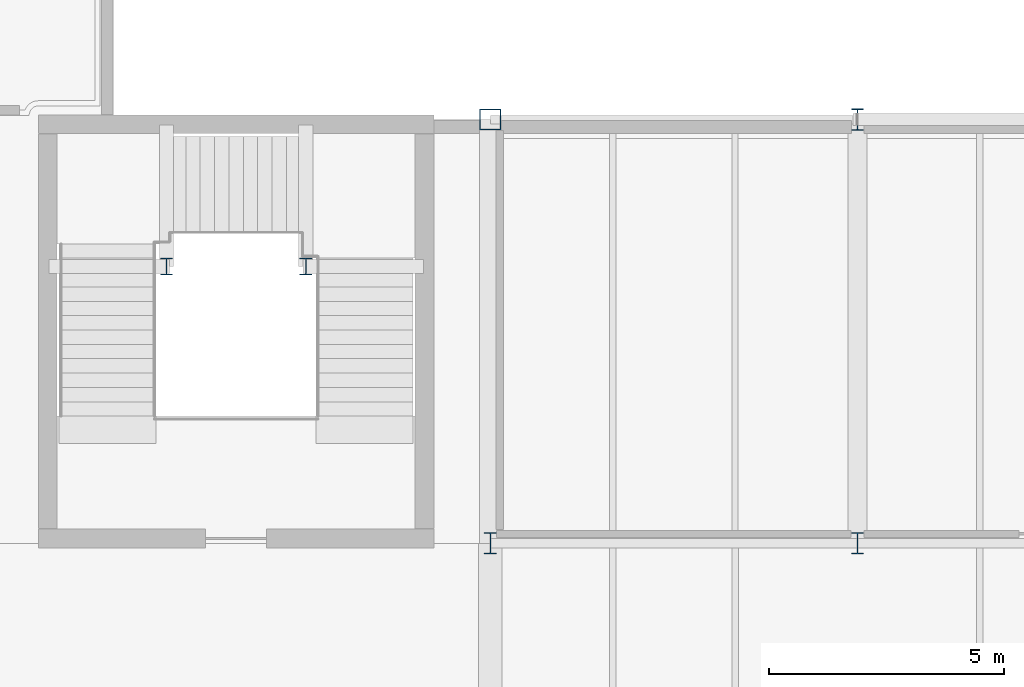
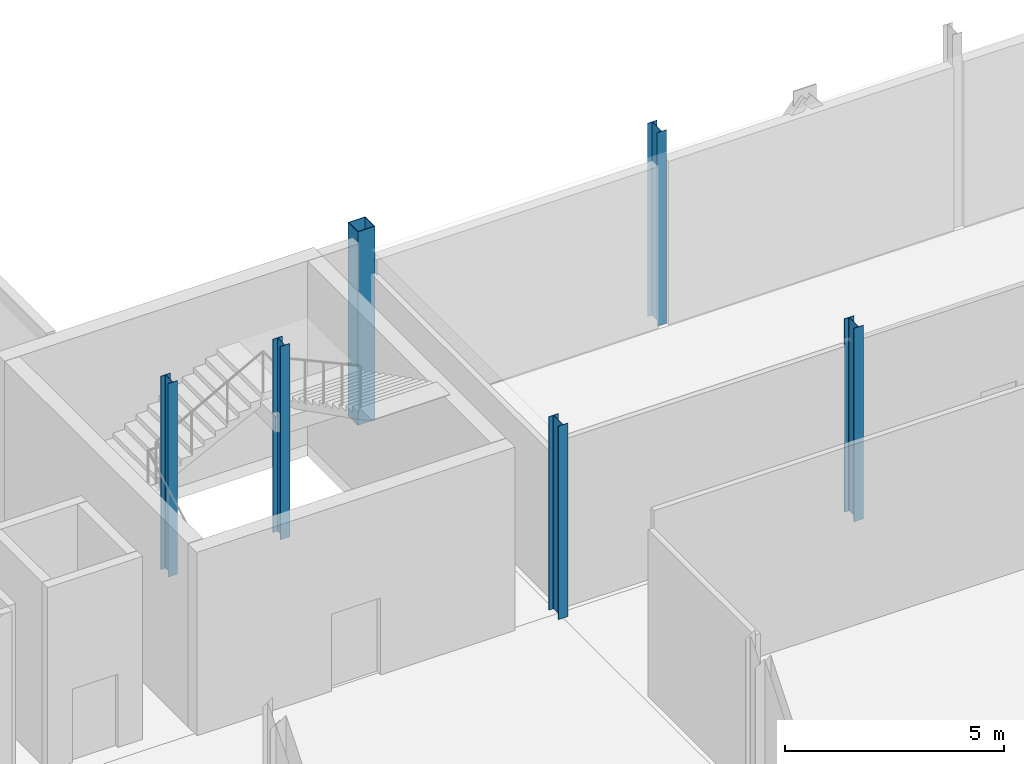
# One storey, part 11 of 57: 6 columns.
"""IFC4 building model written with IfcOpenShell, lengths in metres."""

from ifc_helpers import new_model, si_unit, derived_unit, direction, frame, origin, origin_2d, place, context, subcontext, project, spatial, hollow_rectangle, i_section, extrude, material, material_profile, profile_set, type_object, element, save


model = new_model("IFC4")

# Units and contexts
model_context = context("Model", 3, precision=1e-05, world=origin(), true_north=direction((0.0, 1.0)))
body_context = subcontext(model_context, "Body", "Model", "MODEL_VIEW")
ifc_project = project(units=[si_unit("LENGTHUNIT", "METRE"), si_unit("AREAUNIT", "SQUARE_METRE"), si_unit("VOLUMEUNIT", "CUBIC_METRE"), si_unit("PLANEANGLEUNIT", "RADIAN"), si_unit("MASSUNIT", "GRAM", prefix="KILO"), derived_unit("THERMALTRANSMITTANCEUNIT", [(si_unit("POWERUNIT", "WATT"), 1), (si_unit("LENGTHUNIT", "METRE"), -2), (si_unit("THERMODYNAMICTEMPERATUREUNIT", "KELVIN"), -1)])], contexts=[model_context])

# Site, building, storey
site_placement = place(None, origin())
site = spatial("IfcSite", under=ifc_project, at=site_placement, CompositionType="ELEMENT")
building_placement = place(site_placement, origin())
building = spatial("IfcBuilding", under=site, at=building_placement, Name="Nallur Shell Playhouse", CompositionType="ELEMENT")
storey_placement = place(building_placement, origin())
storey = spatial("IfcBuildingStorey", under=building, at=storey_placement, Name="L01", CompositionType="ELEMENT", Elevation=0.0)

# Columns
ifc_material = material(Name="Steel E350", Category="steel")
ifc_material_profile_1 = material_profile(ifc_material, hollow_rectangle(XDim=0.449951171875, YDim=0.449951171875, WallThickness=0.02001953125, at=origin_2d()), Name="BOX 450x450x20")
ifc_profile_set_1 = profile_set([ifc_material_profile_1], Name="Steel E350")
column_type_1 = type_object("IfcColumnType", Name="CL-ST-BOX450", PredefinedType="COLUMN", material=ifc_profile_set_1)
column_placement = place(storey_placement, frame((64.0, 83.0, 0.0), z_axis=(0.0, 0.0, 1.0), x_axis=(1.0, 0.0, 0.0)))
element("IfcColumn", 1, at=column_placement, inside=storey, type_object=column_type_1, Name="Column 8-K (L01)", PredefinedType="COLUMN", context=body_context, shape_type="SweptSolid", body=[
    extrude(hollow_rectangle(XDim=0.449951171875, YDim=0.449951171875, WallThickness=0.02001953125, at=origin_2d()), origin(), (0.0, 0.0, 1.0), 5.39990234375),
])
ifc_material_profile_2 = material_profile(ifc_material, i_section(OverallWidth=0.25, OverallDepth=0.35009765625, WebThickness=0.010009765625, FlangeThickness=0.01171875, FilletRadius=0.011962890625, at=origin_2d()), Name="ISHB 350")
ifc_profile_set_2 = profile_set([ifc_material_profile_2], Name="Steel E350")
column_type_2 = type_object("IfcColumnType", Name="CL-ST-ISHB350", PredefinedType="COLUMN", material=ifc_profile_set_2)
for number, where, z_axis, x_axis, name in (
    (2, (57.1201171875, 79.8798828125, 0.0), (0.0, 0.0, 1.0), (1.0, 0.0, 0.0), "Column STW-JC-3-W (L01)"),
    (3, (60.080078125, 79.8798828125, 0.0), (0.0, 0.0, 1.0), (1.0, 0.0, 0.0), "Column STW-JC-3-E (L01)"),
):
    element("IfcColumn", number, at=place(storey_placement, frame(where, z_axis=z_axis, x_axis=x_axis)), inside=storey, type_object=column_type_2, Name=name, PredefinedType="COLUMN", context=body_context, shape_type="SweptSolid", body=[
        extrude(i_section(OverallWidth=0.25, OverallDepth=0.35009765625, WebThickness=0.010009765625, FlangeThickness=0.01171875, FilletRadius=0.011962890625, at=origin_2d()), origin(), (0.0, 0.0, 1.0), 5.39990234375),
    ])
ifc_material_profile_3 = material_profile(ifc_material, i_section(OverallWidth=0.25, OverallDepth=0.449951171875, WebThickness=0.01123046875, FlangeThickness=0.013671875, FilletRadius=0.014892578125, at=origin_2d()), Name="ISHB 450")
ifc_profile_set_3 = profile_set([ifc_material_profile_3], Name="Steel E350")
column_type_3 = type_object("IfcColumnType", Name="CL-ST-ISHB450", PredefinedType="COLUMN", material=ifc_profile_set_3)
for number, where, z_axis, x_axis, name in (
    (4, (64.0, 74.0, 0.0), (0.0, 0.0, 1.0), (1.0, 0.0, 0.0), "Column 8-J (L01)"),
    (5, (71.800048828125, 74.0, 0.0), (0.0, 0.0, 1.0), (1.0, 0.0, 0.0), "Column 9-J (L01)"),
    (6, (71.800048828125, 83.0, 0.0), (0.0, 0.0, 1.0), (1.0, 0.0, 0.0), "Column 9-K (L01)"),
):
    element("IfcColumn", number, at=place(storey_placement, frame(where, z_axis=z_axis, x_axis=x_axis)), inside=storey, type_object=column_type_3, Name=name, PredefinedType="COLUMN", context=body_context, shape_type="SweptSolid", body=[
        extrude(i_section(OverallWidth=0.25, OverallDepth=0.449951171875, WebThickness=0.01123046875, FlangeThickness=0.013671875, FilletRadius=0.014892578125, at=origin_2d()), origin(), (0.0, 0.0, 1.0), 5.39990234375),
    ])

save(model, "model.ifc")
